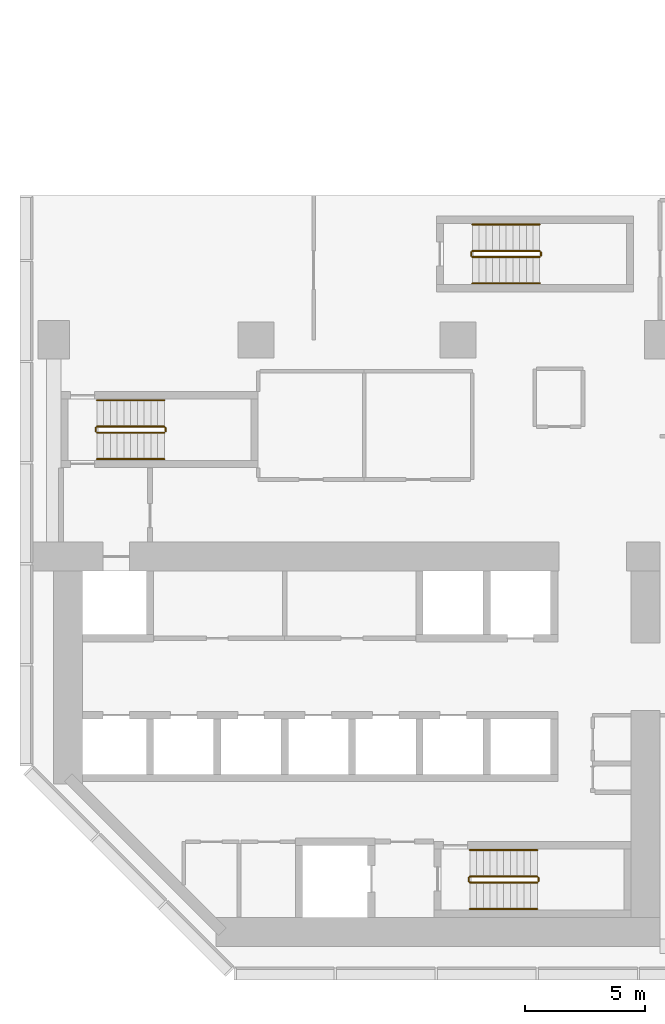
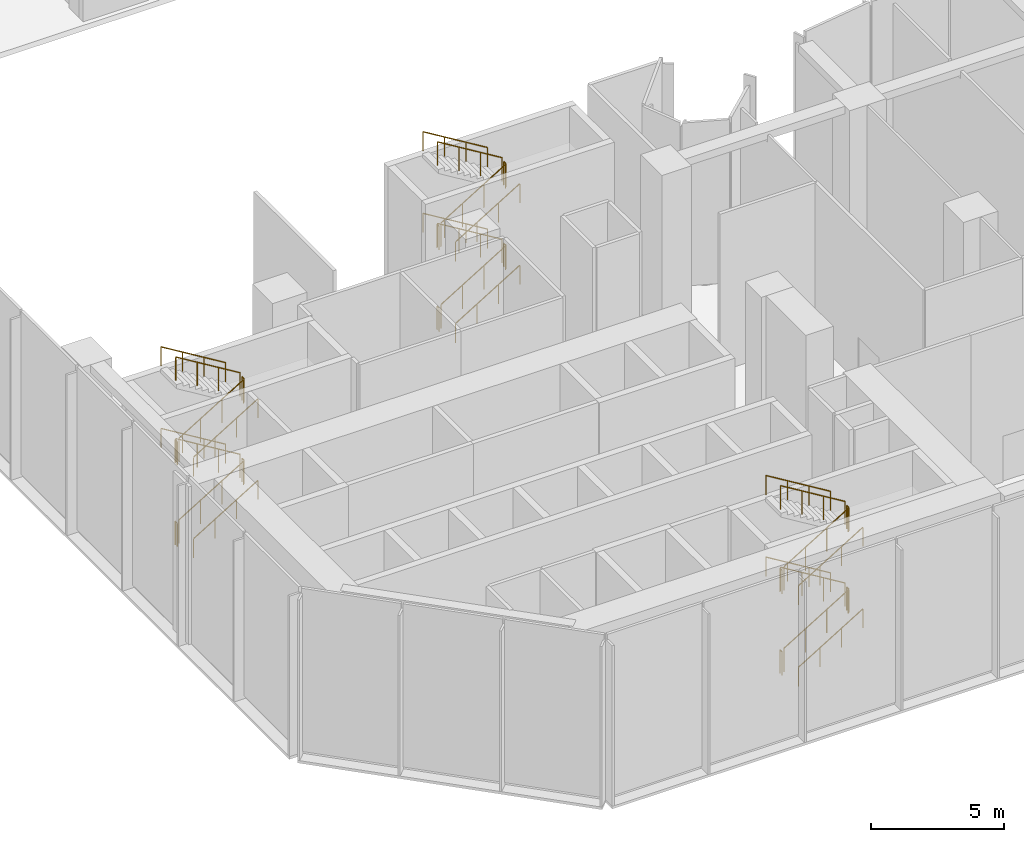
# One storey, part 14 of 16: 36 railings.
"""IFC4 building model written with IfcOpenShell, lengths in metres."""

import ifcopenshell
import ifcopenshell.guid

model = None  # the IFC model being written
_history = None  # IfcOwnerHistory: only IFC2X3 demands one
_inside = {}  # id of a spatial element -> (the spatial element, [elements in it])
_under = {}  # id of a project, library or spatial element -> (it, [spatial elements below it])
_declared = {}  # id of a project -> (the project, [libraries it declares])
_typed = {}  # id of a type object -> (the type object, [elements of that type])
_made_of = {}  # id of a material, layer set ... -> (it, [elements and type objects made of it])


def new_model(schema):
    """Start an empty IFC model of exactly this schema.

    Asked for "IFC4X3", IfcOpenShell would pick the latest addendum, in which some entities
    have other attributes; the version numbers below select the first issue.
    IFC2X3 requires an IfcOwnerHistory on every rooted entity: one is made here for all.
    """
    global model, _history
    if schema == "IFC4X3":
        model = ifcopenshell.file(schema_version=(4, 3, 0, 0))
    else:
        model = ifcopenshell.file(schema=schema)
    _inside.clear()
    _under.clear()
    _declared.clear()
    _typed.clear()
    _made_of.clear()
    _history = None
    if model.schema == "IFC2X3":
        org = make("IfcOrganization", Name="unknown")
        user = make(
            "IfcPersonAndOrganization",
            ThePerson=make("IfcPerson", FamilyName="unknown"),
            TheOrganization=org,
        )
        app = make(
            "IfcApplication",
            ApplicationDeveloper=org,
            Version="unknown",
            ApplicationFullName="unknown",
            ApplicationIdentifier="unknown",
        )
        _history = make(
            "IfcOwnerHistory",
            OwningUser=user,
            OwningApplication=app,
            ChangeAction="ADDED",
            CreationDate=0,
        )
    return model


def make(cls, **values):
    """One entity of the class cls with the attributes given. An attribute that is None is left unset."""
    return model.create_entity(
        cls, **{name: value for name, value in values.items() if value is not None}
    )


def rooted(cls, **values):
    """An entity with a GlobalId (a new one), such as an element, a storey or a relation."""
    return make(cls, GlobalId=ifcopenshell.guid.new(), OwnerHistory=_history, **values)


def si_unit(unit_type, name, prefix=None):
    """IfcSIUnit, for example si_unit("LENGTHUNIT", "METRE", prefix="MILLI")."""
    return make("IfcSIUnit", UnitType=unit_type, Prefix=prefix, Name=name)


def assignment(units):
    """IfcUnitAssignment: the units of a project."""
    return None if units is None else make("IfcUnitAssignment", Units=units)


def point(xyz):
    """IfcCartesianPoint."""
    return None if xyz is None else make("IfcCartesianPoint", Coordinates=xyz)


def direction(xyz):
    """IfcDirection."""
    return None if xyz is None else make("IfcDirection", DirectionRatios=xyz)


def frame(location, z_axis=None, x_axis=None):
    """IfcAxis2Placement3D, a coordinate frame: its origin and axes. An axis left out is left unset."""
    return make(
        "IfcAxis2Placement3D",
        Location=point(location),
        Axis=direction(z_axis),
        RefDirection=direction(x_axis),
    )


def frame_2d(location, x_axis=None):
    """IfcAxis2Placement2D, a coordinate frame in the plane: its origin and x axis."""
    return make(
        "IfcAxis2Placement2D", Location=point(location), RefDirection=direction(x_axis)
    )


def origin():
    """The frame at (0, 0, 0) with its axes left unset."""
    return frame((0.0, 0.0, 0.0))


def origin_2d():
    """The frame at (0, 0) in the plane with its x axis left unset."""
    return frame_2d((0.0, 0.0))


def place(relative_to, where):
    """IfcLocalPlacement: puts the frame where relative to a parent placement (None: the world)."""
    return make(
        "IfcLocalPlacement", PlacementRelTo=relative_to, RelativePlacement=where
    )


def context(
    kind, dimensions, precision=None, world=None, true_north=None, identifier=None
):
    """IfcGeometricRepresentationContext, for example the 3D "Model" context."""
    return make(
        "IfcGeometricRepresentationContext",
        ContextIdentifier=identifier,
        ContextType=kind,
        CoordinateSpaceDimension=dimensions,
        Precision=precision,
        WorldCoordinateSystem=world,
        TrueNorth=true_north,
    )


def subcontext(parent, identifier, kind, view, scale=None):
    """IfcGeometricRepresentationSubContext, for example "Body" below "Model"."""
    return make(
        "IfcGeometricRepresentationSubContext",
        ContextIdentifier=identifier,
        ContextType=kind,
        ParentContext=parent,
        TargetScale=scale,
        TargetView=view,
    )


def project(units=None, contexts=None):
    """IfcProject with its units and contexts."""
    return rooted(
        "IfcProject",
        Name="project",
        RepresentationContexts=contexts,
        UnitsInContext=assignment(units),
    )


def spatial(cls, under=None, at=None, **own):
    """A site, building, storey or space (cls), placed at a placement, below another one or the project."""
    s = rooted(cls, ObjectPlacement=at, **own)
    if under is not None:
        _under.setdefault(under.id(), (under, []))[1].append(s)
    return s


def profile(cls, at=None, kind="AREA", **sizes):
    """A parametric profile (cls). Its sizes go by their IFC names, for example OverallWidth=200.0."""
    return make(cls, ProfileType=kind, Position=at, **sizes)


def circle(**sizes):
    """IfcCircleProfileDef."""
    return profile("IfcCircleProfileDef", **sizes)


def extrude(swept, where, along, depth):
    """IfcExtrudedAreaSolid: the profile swept, set in the frame where, extruded along a direction by depth."""
    return make(
        "IfcExtrudedAreaSolid",
        SweptArea=swept,
        Position=where,
        ExtrudedDirection=direction(along),
        Depth=depth,
    )


def shape(context_of_items, identifier, shape_type, items):
    """IfcShapeRepresentation: the items that make up one representation, for example the "Body"."""
    return make(
        "IfcShapeRepresentation",
        ContextOfItems=context_of_items,
        RepresentationIdentifier=identifier,
        RepresentationType=shape_type,
        Items=items,
    )


def material(Name=None, Category=None):
    """IfcMaterial."""
    return make("IfcMaterial", Name=Name, Category=Category)


def made_of(thing, what):
    """Note that an element or type object is made of a material, layer set ...; save() writes the relation."""
    if what is not None:
        _made_of.setdefault(what.id(), (what, []))[1].append(thing)
    return thing


def type_object(cls, material=None, **own):
    """A type object (cls), such as IfcWallType, which elements share."""
    return made_of(rooted(cls, **own), material)


def element(
    cls,
    number,
    at=None,
    inside=None,
    cuts=None,
    type_object=None,
    material=None,
    context=None,
    identifier="Body",
    shape_type=None,
    held_by="IfcProductDefinitionShape",
    body=None,
    shapes=None,
    **own,
):
    """One element of the class cls, such as IfcWall. Its Tag is "e" and its number.

    at: its placement. inside: the storey or other place that contains it. cuts: it is an
    opening in that element (IfcRelVoidsElement). A single representation is given by context,
    identifier, shape_type and body (its items); several are given by shapes. held_by: the class
    of the entity that holds the representations. save() writes the other relations.
    """
    e = rooted(cls, Tag="e%d" % number, ObjectPlacement=at, **own)
    if body is not None:
        shapes = [shape(context, identifier, shape_type, body)]
    if shapes is not None:
        e.Representation = make(held_by, Representations=shapes)
    if inside is not None:
        _inside.setdefault(inside.id(), (inside, []))[1].append(e)
    if cuts is not None:
        rooted(
            "IfcRelVoidsElement", RelatingBuildingElement=cuts, RelatedOpeningElement=e
        )
    if type_object is not None:
        _typed.setdefault(type_object.id(), (type_object, []))[1].append(e)
    return made_of(e, material)


def aggregate(whole, parts):
    """IfcRelAggregates: a whole, such as a stair, and the parts it consists of."""
    return rooted("IfcRelAggregates", RelatingObject=whole, RelatedObjects=parts)


def save(model, path):
    """Write the relations noted so far, then the file.

    IfcRelAggregates (storeys below a building ...), IfcRelContainedInSpatialStructure (elements
    in a storey), IfcRelDefinesByType, IfcRelAssociatesMaterial and IfcRelDeclares: one each for
    every whole, place, type object, material and project.
    """
    for whole, parts in _under.values():
        aggregate(whole, parts)
    for where, things in _inside.values():
        rooted(
            "IfcRelContainedInSpatialStructure",
            RelatedElements=things,
            RelatingStructure=where,
        )
    for kind, things in _typed.values():
        rooted("IfcRelDefinesByType", RelatedObjects=things, RelatingType=kind)
    for what, things in _made_of.values():
        rooted("IfcRelAssociatesMaterial", RelatedObjects=things, RelatingMaterial=what)
    for by, libraries in _declared.values():
        rooted("IfcRelDeclares", RelatingContext=by, RelatedDefinitions=libraries)
    model.write(path)


model = new_model("IFC4")

# Units and contexts
model_context = context("Model", 3, precision=1e-05, world=origin(), true_north=direction((0.0, 1.0)))
body_context = subcontext(model_context, "Body", "Model", "MODEL_VIEW")
ifc_project = project(units=[si_unit("LENGTHUNIT", "METRE"), si_unit("AREAUNIT", "SQUARE_METRE"), si_unit("VOLUMEUNIT", "CUBIC_METRE"), si_unit("PLANEANGLEUNIT", "RADIAN"), si_unit("MASSUNIT", "GRAM", prefix="KILO")], contexts=[model_context])

# Site, building, storey
site_placement = place(None, origin())
site = spatial("IfcSite", under=ifc_project, at=site_placement, CompositionType="ELEMENT")
building_placement = place(site_placement, origin())
building = spatial("IfcBuilding", under=site, at=building_placement, Name="Brevane Broadcast Tower", CompositionType="ELEMENT")
storey_placement = place(building_placement, frame((0.0, 0.0, 12.5)))
storey = spatial("IfcBuildingStorey", under=building, at=storey_placement, Name="L02", CompositionType="ELEMENT", Elevation=12.5)

# Railings
ifc_material = material(Name="Steel S355", Category="steel")
railing_type_1 = type_object("IfcRailingType", Name="Exit stair guard", PredefinedType="GUARDRAIL", material=ifc_material)
railing_1_placement = place(storey_placement, frame((1.800048828125, 21.35009765625, 0.17041015625)))
element("IfcRailing", 1, at=railing_1_placement, inside=storey, type_object=railing_type_1, Name="L02 ST-1 stair guard 1", PredefinedType="GUARDRAIL", context=body_context, shape_type="SweptSolid", body=[
    extrude(circle(Radius=0.02392578125, at=origin_2d()), frame((0.0, 0.0, 1.076171875), z_axis=(0.854169791009, 0.0, 0.51999420009), x_axis=(0.0, 1.0, 0.0)), (0.0, 0.0, 1.0), 3.278076171875),
    extrude(circle(Radius=0.02099609375, at=origin_2d()), origin(), (0.0, 0.0, 1.0), 1.052001953125),
    extrude(circle(Radius=0.02099609375, at=origin_2d()), frame((0.933349609375, 0.0, 0.568115234375)), (0.0, 0.0, 1.0), 1.052001953125),
    extrude(circle(Radius=0.02099609375, at=origin_2d()), frame((1.86669921875, 0.0, 1.136474609375)), (0.0, 0.0, 1.0), 1.052001953125),
    extrude(circle(Radius=0.02099609375, at=origin_2d()), frame((2.800048828125, 0.0, 1.70458984375)), (0.0, 0.0, 1.0), 1.052001953125),
])
railing_2_placement = place(storey_placement, frame((4.64990234375, 21.39990234375, 1.875)))
element("IfcRailing", 2, at=railing_2_placement, inside=storey, type_object=railing_type_1, Name="L02 ST-1 stair guard 2", PredefinedType="GUARDRAIL", context=body_context, shape_type="SweptSolid", body=[
    extrude(circle(Radius=0.02392578125, at=origin_2d()), frame((0.0, 0.0, 1.076171875), z_axis=(0.0, 1.0, 0.0), x_axis=(-1.0, 0.0, 0.0)), (0.0, 0.0, 1.0), 0.150146484375),
    extrude(circle(Radius=0.02099609375, at=origin_2d()), origin(), (0.0, 0.0, 1.0), 1.052001953125),
    extrude(circle(Radius=0.02099609375, at=origin_2d()), frame((0.0, 0.150146484375, 0.0)), (0.0, 0.0, 1.0), 1.052001953125),
])
railing_3_placement = place(storey_placement, frame((4.60009765625, 21.60009765625, 2.04541015625)))
element("IfcRailing", 3, at=railing_3_placement, inside=storey, type_object=railing_type_1, Name="L02 ST-1 stair guard 3", PredefinedType="GUARDRAIL", context=body_context, shape_type="SweptSolid", body=[
    extrude(circle(Radius=0.02392578125, at=origin_2d()), frame((0.0, 0.0, 1.076171875), z_axis=(-0.854169791009, 0.0, 0.51999420009), x_axis=(0.0, -1.0, 0.0)), (0.0, 0.0, 1.0), 3.278076171875),
    extrude(circle(Radius=0.02099609375, at=origin_2d()), origin(), (0.0, 0.0, 1.0), 1.052001953125),
    extrude(circle(Radius=0.02099609375, at=origin_2d()), frame((-0.933349609375, 0.0, 0.568115234375)), (0.0, 0.0, 1.0), 1.052001953125),
    extrude(circle(Radius=0.02099609375, at=origin_2d()), frame((-1.86669921875, 0.0, 1.136474609375)), (0.0, 0.0, 1.0), 1.052001953125),
    extrude(circle(Radius=0.02099609375, at=origin_2d()), frame((-2.800048828125, 0.0, 1.70458984375)), (0.0, 0.0, 1.0), 1.052001953125),
])
railing_4_placement = place(storey_placement, frame((1.75, 21.39990234375, 3.75)))
element("IfcRailing", 4, at=railing_4_placement, inside=storey, type_object=railing_type_1, Name="L02 ST-1 stair guard 4", PredefinedType="GUARDRAIL", context=body_context, shape_type="SweptSolid", body=[
    extrude(circle(Radius=0.02392578125, at=origin_2d()), frame((0.0, 0.0, 1.076171875), z_axis=(0.0, 1.0, 0.0), x_axis=(-1.0, 0.0, 0.0)), (0.0, 0.0, 1.0), 0.150146484375),
    extrude(circle(Radius=0.02099609375, at=origin_2d()), origin(), (0.0, 0.0, 1.0), 1.052001953125),
    extrude(circle(Radius=0.02099609375, at=origin_2d()), frame((0.0, 0.150146484375, 0.0)), (0.0, 0.0, 1.0), 1.052001953125),
])
railing_5_placement = place(storey_placement, frame((1.800048828125, 21.35009765625, 3.92041015625)))
element("IfcRailing", 5, at=railing_5_placement, inside=storey, type_object=railing_type_1, Name="L02 ST-1 stair guard 5", PredefinedType="GUARDRAIL", context=body_context, shape_type="SweptSolid", body=[
    extrude(circle(Radius=0.02392578125, at=origin_2d()), frame((0.0, 0.0, 1.076171875), z_axis=(0.854169791009, 0.0, 0.51999420009), x_axis=(0.0, 1.0, 0.0)), (0.0, 0.0, 1.0), 3.278076171875),
    extrude(circle(Radius=0.02099609375, at=origin_2d()), origin(), (0.0, 0.0, 1.0), 1.052001953125),
    extrude(circle(Radius=0.02099609375, at=origin_2d()), frame((0.933349609375, 0.0, 0.568115234375)), (0.0, 0.0, 1.0), 1.052001953125),
    extrude(circle(Radius=0.02099609375, at=origin_2d()), frame((1.86669921875, 0.0, 1.136474609375)), (0.0, 0.0, 1.0), 1.052001953125),
    extrude(circle(Radius=0.02099609375, at=origin_2d()), frame((2.800048828125, 0.0, 1.70458984375)), (0.0, 0.0, 1.0), 1.052001953125),
])
railing_6_placement = place(storey_placement, frame((4.64990234375, 21.39990234375, 5.625)))
element("IfcRailing", 6, at=railing_6_placement, inside=storey, type_object=railing_type_1, Name="L02 ST-1 stair guard 6", PredefinedType="GUARDRAIL", context=body_context, shape_type="SweptSolid", body=[
    extrude(circle(Radius=0.02392578125, at=origin_2d()), frame((0.0, 0.0, 1.076171875), z_axis=(0.0, 1.0, 0.0), x_axis=(-1.0, 0.0, 0.0)), (0.0, 0.0, 1.0), 0.150146484375),
    extrude(circle(Radius=0.02099609375, at=origin_2d()), origin(), (0.0, 0.0, 1.0), 1.052001953125),
    extrude(circle(Radius=0.02099609375, at=origin_2d()), frame((0.0, 0.150146484375, 0.0)), (0.0, 0.0, 1.0), 1.052001953125),
])
railing_7_placement = place(storey_placement, frame((4.60009765625, 21.60009765625, 5.79541015625)))
element("IfcRailing", 7, at=railing_7_placement, inside=storey, type_object=railing_type_1, Name="L02 ST-1 stair guard 7", PredefinedType="GUARDRAIL", context=body_context, shape_type="SweptSolid", body=[
    extrude(circle(Radius=0.02392578125, at=origin_2d()), frame((0.0, 0.0, 1.076171875), z_axis=(-0.854169791009, 0.0, 0.51999420009), x_axis=(0.0, -1.0, 0.0)), (0.0, 0.0, 1.0), 3.278076171875),
    extrude(circle(Radius=0.02099609375, at=origin_2d()), origin(), (0.0, 0.0, 1.0), 1.052001953125),
    extrude(circle(Radius=0.02099609375, at=origin_2d()), frame((-0.933349609375, 0.0, 0.568115234375)), (0.0, 0.0, 1.0), 1.052001953125),
    extrude(circle(Radius=0.02099609375, at=origin_2d()), frame((-1.86669921875, 0.0, 1.136474609375)), (0.0, 0.0, 1.0), 1.052001953125),
    extrude(circle(Radius=0.02099609375, at=origin_2d()), frame((-2.800048828125, 0.0, 1.70458984375)), (0.0, 0.0, 1.0), 1.052001953125),
])
railing_8_placement = place(storey_placement, frame((1.75, 21.39990234375, 0.0)))
element("IfcRailing", 8, at=railing_8_placement, inside=storey, type_object=railing_type_1, Name="L02 ST-1 stair guard 8", PredefinedType="GUARDRAIL", context=body_context, shape_type="SweptSolid", body=[
    extrude(circle(Radius=0.02392578125, at=origin_2d()), frame((0.0, 0.0, 1.076171875), z_axis=(0.0, 1.0, 0.0), x_axis=(-1.0, 0.0, 0.0)), (0.0, 0.0, 1.0), 0.150146484375),
    extrude(circle(Radius=0.02099609375, at=origin_2d()), origin(), (0.0, 0.0, 1.0), 1.052001953125),
    extrude(circle(Radius=0.02099609375, at=origin_2d()), frame((0.0, 0.150146484375, 0.0)), (0.0, 0.0, 1.0), 1.052001953125),
])
railing_9_placement = place(storey_placement, frame((17.300048828125, 2.64990234375, 0.17041015625)))
element("IfcRailing", 9, at=railing_9_placement, inside=storey, type_object=railing_type_1, Name="L02 ST-2 stair guard 1", PredefinedType="GUARDRAIL", context=body_context, shape_type="SweptSolid", body=[
    extrude(circle(Radius=0.02392578125, at=origin_2d()), frame((0.0, 0.0, 1.076171875), z_axis=(0.854169791009, 0.0, 0.51999420009), x_axis=(0.0, 1.0, 0.0)), (0.0, 0.0, 1.0), 3.278076171875),
    extrude(circle(Radius=0.02099609375, at=origin_2d()), origin(), (0.0, 0.0, 1.0), 1.052001953125),
    extrude(circle(Radius=0.02099609375, at=origin_2d()), frame((0.933349609375, 0.0, 0.568115234375)), (0.0, 0.0, 1.0), 1.052001953125),
    extrude(circle(Radius=0.02099609375, at=origin_2d()), frame((1.86669921875, 0.0, 1.136474609375)), (0.0, 0.0, 1.0), 1.052001953125),
    extrude(circle(Radius=0.02099609375, at=origin_2d()), frame((2.800048828125, 0.0, 1.70458984375)), (0.0, 0.0, 1.0), 1.052001953125),
])
railing_10_placement = place(storey_placement, frame((20.14990234375, 2.699951171875, 1.875)))
element("IfcRailing", 10, at=railing_10_placement, inside=storey, type_object=railing_type_1, Name="L02 ST-2 stair guard 2", PredefinedType="GUARDRAIL", context=body_context, shape_type="SweptSolid", body=[
    extrude(circle(Radius=0.02392578125, at=origin_2d()), frame((0.0, 0.0, 1.076171875), z_axis=(0.0, 1.0, 0.0), x_axis=(-1.0, 0.0, 0.0)), (0.0, 0.0, 1.0), 0.150146484375),
    extrude(circle(Radius=0.02099609375, at=origin_2d()), origin(), (0.0, 0.0, 1.0), 1.052001953125),
    extrude(circle(Radius=0.02099609375, at=origin_2d()), frame((0.0, 0.150146484375, 0.0)), (0.0, 0.0, 1.0), 1.052001953125),
])
railing_11_placement = place(storey_placement, frame((20.10009765625, 2.89990234375, 2.04541015625)))
element("IfcRailing", 11, at=railing_11_placement, inside=storey, type_object=railing_type_1, Name="L02 ST-2 stair guard 3", PredefinedType="GUARDRAIL", context=body_context, shape_type="SweptSolid", body=[
    extrude(circle(Radius=0.02392578125, at=origin_2d()), frame((0.0, 0.0, 1.076171875), z_axis=(-0.854169791009, 0.0, 0.51999420009), x_axis=(0.0, -1.0, 0.0)), (0.0, 0.0, 1.0), 3.278076171875),
    extrude(circle(Radius=0.02099609375, at=origin_2d()), origin(), (0.0, 0.0, 1.0), 1.052001953125),
    extrude(circle(Radius=0.02099609375, at=origin_2d()), frame((-0.933349609375, 0.0, 0.568115234375)), (0.0, 0.0, 1.0), 1.052001953125),
    extrude(circle(Radius=0.02099609375, at=origin_2d()), frame((-1.86669921875, 0.0, 1.136474609375)), (0.0, 0.0, 1.0), 1.052001953125),
    extrude(circle(Radius=0.02099609375, at=origin_2d()), frame((-2.800048828125, 0.0, 1.70458984375)), (0.0, 0.0, 1.0), 1.052001953125),
])
railing_12_placement = place(storey_placement, frame((17.25, 2.699951171875, 3.75)))
element("IfcRailing", 12, at=railing_12_placement, inside=storey, type_object=railing_type_1, Name="L02 ST-2 stair guard 4", PredefinedType="GUARDRAIL", context=body_context, shape_type="SweptSolid", body=[
    extrude(circle(Radius=0.02392578125, at=origin_2d()), frame((0.0, 0.0, 1.076171875), z_axis=(0.0, 1.0, 0.0), x_axis=(-1.0, 0.0, 0.0)), (0.0, 0.0, 1.0), 0.150146484375),
    extrude(circle(Radius=0.02099609375, at=origin_2d()), origin(), (0.0, 0.0, 1.0), 1.052001953125),
    extrude(circle(Radius=0.02099609375, at=origin_2d()), frame((0.0, 0.150146484375, 0.0)), (0.0, 0.0, 1.0), 1.052001953125),
])
railing_13_placement = place(storey_placement, frame((17.300048828125, 2.64990234375, 3.92041015625)))
element("IfcRailing", 13, at=railing_13_placement, inside=storey, type_object=railing_type_1, Name="L02 ST-2 stair guard 5", PredefinedType="GUARDRAIL", context=body_context, shape_type="SweptSolid", body=[
    extrude(circle(Radius=0.02392578125, at=origin_2d()), frame((0.0, 0.0, 1.076171875), z_axis=(0.854169791009, 0.0, 0.51999420009), x_axis=(0.0, 1.0, 0.0)), (0.0, 0.0, 1.0), 3.278076171875),
    extrude(circle(Radius=0.02099609375, at=origin_2d()), origin(), (0.0, 0.0, 1.0), 1.052001953125),
    extrude(circle(Radius=0.02099609375, at=origin_2d()), frame((0.933349609375, 0.0, 0.568115234375)), (0.0, 0.0, 1.0), 1.052001953125),
    extrude(circle(Radius=0.02099609375, at=origin_2d()), frame((1.86669921875, 0.0, 1.136474609375)), (0.0, 0.0, 1.0), 1.052001953125),
    extrude(circle(Radius=0.02099609375, at=origin_2d()), frame((2.800048828125, 0.0, 1.70458984375)), (0.0, 0.0, 1.0), 1.052001953125),
])
railing_14_placement = place(storey_placement, frame((20.14990234375, 2.699951171875, 5.625)))
element("IfcRailing", 14, at=railing_14_placement, inside=storey, type_object=railing_type_1, Name="L02 ST-2 stair guard 6", PredefinedType="GUARDRAIL", context=body_context, shape_type="SweptSolid", body=[
    extrude(circle(Radius=0.02392578125, at=origin_2d()), frame((0.0, 0.0, 1.076171875), z_axis=(0.0, 1.0, 0.0), x_axis=(-1.0, 0.0, 0.0)), (0.0, 0.0, 1.0), 0.150146484375),
    extrude(circle(Radius=0.02099609375, at=origin_2d()), origin(), (0.0, 0.0, 1.0), 1.052001953125),
    extrude(circle(Radius=0.02099609375, at=origin_2d()), frame((0.0, 0.150146484375, 0.0)), (0.0, 0.0, 1.0), 1.052001953125),
])
railing_15_placement = place(storey_placement, frame((20.10009765625, 2.89990234375, 5.79541015625)))
element("IfcRailing", 15, at=railing_15_placement, inside=storey, type_object=railing_type_1, Name="L02 ST-2 stair guard 7", PredefinedType="GUARDRAIL", context=body_context, shape_type="SweptSolid", body=[
    extrude(circle(Radius=0.02392578125, at=origin_2d()), frame((0.0, 0.0, 1.076171875), z_axis=(-0.854169791009, 0.0, 0.51999420009), x_axis=(0.0, -1.0, 0.0)), (0.0, 0.0, 1.0), 3.278076171875),
    extrude(circle(Radius=0.02099609375, at=origin_2d()), origin(), (0.0, 0.0, 1.0), 1.052001953125),
    extrude(circle(Radius=0.02099609375, at=origin_2d()), frame((-0.933349609375, 0.0, 0.568115234375)), (0.0, 0.0, 1.0), 1.052001953125),
    extrude(circle(Radius=0.02099609375, at=origin_2d()), frame((-1.86669921875, 0.0, 1.136474609375)), (0.0, 0.0, 1.0), 1.052001953125),
    extrude(circle(Radius=0.02099609375, at=origin_2d()), frame((-2.800048828125, 0.0, 1.70458984375)), (0.0, 0.0, 1.0), 1.052001953125),
])
railing_16_placement = place(storey_placement, frame((17.25, 2.699951171875, 0.0)))
element("IfcRailing", 16, at=railing_16_placement, inside=storey, type_object=railing_type_1, Name="L02 ST-2 stair guard 8", PredefinedType="GUARDRAIL", context=body_context, shape_type="SweptSolid", body=[
    extrude(circle(Radius=0.02392578125, at=origin_2d()), frame((0.0, 0.0, 1.076171875), z_axis=(0.0, 1.0, 0.0), x_axis=(-1.0, 0.0, 0.0)), (0.0, 0.0, 1.0), 0.150146484375),
    extrude(circle(Radius=0.02099609375, at=origin_2d()), origin(), (0.0, 0.0, 1.0), 1.052001953125),
    extrude(circle(Radius=0.02099609375, at=origin_2d()), frame((0.0, 0.150146484375, 0.0)), (0.0, 0.0, 1.0), 1.052001953125),
])
railing_17_placement = place(storey_placement, frame((17.39990234375, 28.64990234375, 0.17041015625)))
element("IfcRailing", 17, at=railing_17_placement, inside=storey, type_object=railing_type_1, Name="L02 ST-3 stair guard 1", PredefinedType="GUARDRAIL", context=body_context, shape_type="SweptSolid", body=[
    extrude(circle(Radius=0.02392578125, at=origin_2d()), frame((0.0, 0.0, 1.076171875), z_axis=(0.854169791009, 0.0, 0.51999420009), x_axis=(0.0, 1.0, 0.0)), (0.0, 0.0, 1.0), 3.278076171875),
    extrude(circle(Radius=0.02099609375, at=origin_2d()), origin(), (0.0, 0.0, 1.0), 1.052001953125),
    extrude(circle(Radius=0.02099609375, at=origin_2d()), frame((0.933349609375, 0.0, 0.568115234375)), (0.0, 0.0, 1.0), 1.052001953125),
    extrude(circle(Radius=0.02099609375, at=origin_2d()), frame((1.86669921875, 0.0, 1.136474609375)), (0.0, 0.0, 1.0), 1.052001953125),
    extrude(circle(Radius=0.02099609375, at=origin_2d()), frame((2.800048828125, 0.0, 1.70458984375)), (0.0, 0.0, 1.0), 1.052001953125),
])
railing_18_placement = place(storey_placement, frame((20.25, 28.699951171875, 1.875)))
element("IfcRailing", 18, at=railing_18_placement, inside=storey, type_object=railing_type_1, Name="L02 ST-3 stair guard 2", PredefinedType="GUARDRAIL", context=body_context, shape_type="SweptSolid", body=[
    extrude(circle(Radius=0.02392578125, at=origin_2d()), frame((0.0, 0.0, 1.076171875), z_axis=(0.0, 1.0, 0.0), x_axis=(-1.0, 0.0, 0.0)), (0.0, 0.0, 1.0), 0.150146484375),
    extrude(circle(Radius=0.02099609375, at=origin_2d()), origin(), (0.0, 0.0, 1.0), 1.052001953125),
    extrude(circle(Radius=0.02099609375, at=origin_2d()), frame((0.0, 0.150146484375, 0.0)), (0.0, 0.0, 1.0), 1.052001953125),
])
railing_19_placement = place(storey_placement, frame((20.199951171875, 28.89990234375, 2.04541015625)))
element("IfcRailing", 19, at=railing_19_placement, inside=storey, type_object=railing_type_1, Name="L02 ST-3 stair guard 3", PredefinedType="GUARDRAIL", context=body_context, shape_type="SweptSolid", body=[
    extrude(circle(Radius=0.02392578125, at=origin_2d()), frame((0.0, 0.0, 1.076171875), z_axis=(-0.854169791009, 0.0, 0.51999420009), x_axis=(0.0, -1.0, 0.0)), (0.0, 0.0, 1.0), 3.278076171875),
    extrude(circle(Radius=0.02099609375, at=origin_2d()), origin(), (0.0, 0.0, 1.0), 1.052001953125),
    extrude(circle(Radius=0.02099609375, at=origin_2d()), frame((-0.933349609375, 0.0, 0.568115234375)), (0.0, 0.0, 1.0), 1.052001953125),
    extrude(circle(Radius=0.02099609375, at=origin_2d()), frame((-1.86669921875, 0.0, 1.136474609375)), (0.0, 0.0, 1.0), 1.052001953125),
    extrude(circle(Radius=0.02099609375, at=origin_2d()), frame((-2.800048828125, 0.0, 1.70458984375)), (0.0, 0.0, 1.0), 1.052001953125),
])
railing_20_placement = place(storey_placement, frame((17.35009765625, 28.699951171875, 3.75)))
element("IfcRailing", 20, at=railing_20_placement, inside=storey, type_object=railing_type_1, Name="L02 ST-3 stair guard 4", PredefinedType="GUARDRAIL", context=body_context, shape_type="SweptSolid", body=[
    extrude(circle(Radius=0.02392578125, at=origin_2d()), frame((0.0, 0.0, 1.076171875), z_axis=(0.0, 1.0, 0.0), x_axis=(-1.0, 0.0, 0.0)), (0.0, 0.0, 1.0), 0.150146484375),
    extrude(circle(Radius=0.02099609375, at=origin_2d()), origin(), (0.0, 0.0, 1.0), 1.052001953125),
    extrude(circle(Radius=0.02099609375, at=origin_2d()), frame((0.0, 0.150146484375, 0.0)), (0.0, 0.0, 1.0), 1.052001953125),
])
railing_21_placement = place(storey_placement, frame((17.39990234375, 28.64990234375, 3.92041015625)))
element("IfcRailing", 21, at=railing_21_placement, inside=storey, type_object=railing_type_1, Name="L02 ST-3 stair guard 5", PredefinedType="GUARDRAIL", context=body_context, shape_type="SweptSolid", body=[
    extrude(circle(Radius=0.02392578125, at=origin_2d()), frame((0.0, 0.0, 1.076171875), z_axis=(0.854169791009, 0.0, 0.51999420009), x_axis=(0.0, 1.0, 0.0)), (0.0, 0.0, 1.0), 3.278076171875),
    extrude(circle(Radius=0.02099609375, at=origin_2d()), origin(), (0.0, 0.0, 1.0), 1.052001953125),
    extrude(circle(Radius=0.02099609375, at=origin_2d()), frame((0.933349609375, 0.0, 0.568115234375)), (0.0, 0.0, 1.0), 1.052001953125),
    extrude(circle(Radius=0.02099609375, at=origin_2d()), frame((1.86669921875, 0.0, 1.136474609375)), (0.0, 0.0, 1.0), 1.052001953125),
    extrude(circle(Radius=0.02099609375, at=origin_2d()), frame((2.800048828125, 0.0, 1.70458984375)), (0.0, 0.0, 1.0), 1.052001953125),
])
railing_22_placement = place(storey_placement, frame((20.25, 28.699951171875, 5.625)))
element("IfcRailing", 22, at=railing_22_placement, inside=storey, type_object=railing_type_1, Name="L02 ST-3 stair guard 6", PredefinedType="GUARDRAIL", context=body_context, shape_type="SweptSolid", body=[
    extrude(circle(Radius=0.02392578125, at=origin_2d()), frame((0.0, 0.0, 1.076171875), z_axis=(0.0, 1.0, 0.0), x_axis=(-1.0, 0.0, 0.0)), (0.0, 0.0, 1.0), 0.150146484375),
    extrude(circle(Radius=0.02099609375, at=origin_2d()), origin(), (0.0, 0.0, 1.0), 1.052001953125),
    extrude(circle(Radius=0.02099609375, at=origin_2d()), frame((0.0, 0.150146484375, 0.0)), (0.0, 0.0, 1.0), 1.052001953125),
])
railing_23_placement = place(storey_placement, frame((20.199951171875, 28.89990234375, 5.79541015625)))
element("IfcRailing", 23, at=railing_23_placement, inside=storey, type_object=railing_type_1, Name="L02 ST-3 stair guard 7", PredefinedType="GUARDRAIL", context=body_context, shape_type="SweptSolid", body=[
    extrude(circle(Radius=0.02392578125, at=origin_2d()), frame((0.0, 0.0, 1.076171875), z_axis=(-0.854169791009, 0.0, 0.51999420009), x_axis=(0.0, -1.0, 0.0)), (0.0, 0.0, 1.0), 3.278076171875),
    extrude(circle(Radius=0.02099609375, at=origin_2d()), origin(), (0.0, 0.0, 1.0), 1.052001953125),
    extrude(circle(Radius=0.02099609375, at=origin_2d()), frame((-0.933349609375, 0.0, 0.568115234375)), (0.0, 0.0, 1.0), 1.052001953125),
    extrude(circle(Radius=0.02099609375, at=origin_2d()), frame((-1.86669921875, 0.0, 1.136474609375)), (0.0, 0.0, 1.0), 1.052001953125),
    extrude(circle(Radius=0.02099609375, at=origin_2d()), frame((-2.800048828125, 0.0, 1.70458984375)), (0.0, 0.0, 1.0), 1.052001953125),
])
railing_24_placement = place(storey_placement, frame((17.35009765625, 28.699951171875, 0.0)))
element("IfcRailing", 24, at=railing_24_placement, inside=storey, type_object=railing_type_1, Name="L02 ST-3 stair guard 8", PredefinedType="GUARDRAIL", context=body_context, shape_type="SweptSolid", body=[
    extrude(circle(Radius=0.02392578125, at=origin_2d()), frame((0.0, 0.0, 1.076171875), z_axis=(0.0, 1.0, 0.0), x_axis=(-1.0, 0.0, 0.0)), (0.0, 0.0, 1.0), 0.150146484375),
    extrude(circle(Radius=0.02099609375, at=origin_2d()), origin(), (0.0, 0.0, 1.0), 1.052001953125),
    extrude(circle(Radius=0.02099609375, at=origin_2d()), frame((0.0, 0.150146484375, 0.0)), (0.0, 0.0, 1.0), 1.052001953125),
])
railing_type_2 = type_object("IfcRailingType", Name="Exit stair handrail", PredefinedType="HANDRAIL", material=ifc_material)
railing_25_placement = place(storey_placement, frame((1.800048828125, 20.25, 0.17041015625)))
element("IfcRailing", 25, at=railing_25_placement, inside=storey, type_object=railing_type_2, Name="L02 ST-1 stair handrail 1", PredefinedType="HANDRAIL", context=body_context, shape_type="SweptSolid", body=[
    extrude(circle(Radius=0.02392578125, at=origin_2d()), frame((0.0, 0.0, 0.8759765625), z_axis=(0.854169791009, 0.0, 0.51999420009), x_axis=(0.0, 1.0, 0.0)), (0.0, 0.0, 1.0), 3.278076171875),
    extrude(circle(Radius=0.02099609375, at=origin_2d()), origin(), (0.0, 0.0, 1.0), 0.851806640625),
    extrude(circle(Radius=0.02099609375, at=origin_2d()), frame((0.933349609375, 0.0, 0.568115234375)), (0.0, 0.0, 1.0), 0.851806640625),
    extrude(circle(Radius=0.02099609375, at=origin_2d()), frame((1.86669921875, 0.0, 1.136474609375)), (0.0, 0.0, 1.0), 0.851806640625),
    extrude(circle(Radius=0.02099609375, at=origin_2d()), frame((2.800048828125, 0.0, 1.70458984375)), (0.0, 0.0, 1.0), 0.851806640625),
])
railing_26_placement = place(storey_placement, frame((4.60009765625, 22.699951171875, 2.04541015625)))
element("IfcRailing", 26, at=railing_26_placement, inside=storey, type_object=railing_type_2, Name="L02 ST-1 stair handrail 2", PredefinedType="HANDRAIL", context=body_context, shape_type="SweptSolid", body=[
    extrude(circle(Radius=0.02392578125, at=origin_2d()), frame((0.0, 0.0, 0.8759765625), z_axis=(-0.854169791009, 0.0, 0.51999420009), x_axis=(0.0, -1.0, 0.0)), (0.0, 0.0, 1.0), 3.278076171875),
    extrude(circle(Radius=0.02099609375, at=origin_2d()), origin(), (0.0, 0.0, 1.0), 0.851806640625),
    extrude(circle(Radius=0.02099609375, at=origin_2d()), frame((-0.933349609375, 0.0, 0.568115234375)), (0.0, 0.0, 1.0), 0.851806640625),
    extrude(circle(Radius=0.02099609375, at=origin_2d()), frame((-1.86669921875, 0.0, 1.136474609375)), (0.0, 0.0, 1.0), 0.851806640625),
    extrude(circle(Radius=0.02099609375, at=origin_2d()), frame((-2.800048828125, 0.0, 1.70458984375)), (0.0, 0.0, 1.0), 0.851806640625),
])
railing_27_placement = place(storey_placement, frame((1.800048828125, 20.25, 3.92041015625)))
element("IfcRailing", 27, at=railing_27_placement, inside=storey, type_object=railing_type_2, Name="L02 ST-1 stair handrail 3", PredefinedType="HANDRAIL", context=body_context, shape_type="SweptSolid", body=[
    extrude(circle(Radius=0.02392578125, at=origin_2d()), frame((0.0, 0.0, 0.8759765625), z_axis=(0.854169791009, 0.0, 0.51999420009), x_axis=(0.0, 1.0, 0.0)), (0.0, 0.0, 1.0), 3.278076171875),
    extrude(circle(Radius=0.02099609375, at=origin_2d()), origin(), (0.0, 0.0, 1.0), 0.851806640625),
    extrude(circle(Radius=0.02099609375, at=origin_2d()), frame((0.933349609375, 0.0, 0.568115234375)), (0.0, 0.0, 1.0), 0.851806640625),
    extrude(circle(Radius=0.02099609375, at=origin_2d()), frame((1.86669921875, 0.0, 1.136474609375)), (0.0, 0.0, 1.0), 0.851806640625),
    extrude(circle(Radius=0.02099609375, at=origin_2d()), frame((2.800048828125, 0.0, 1.70458984375)), (0.0, 0.0, 1.0), 0.851806640625),
])
railing_28_placement = place(storey_placement, frame((4.60009765625, 22.699951171875, 5.79541015625)))
element("IfcRailing", 28, at=railing_28_placement, inside=storey, type_object=railing_type_2, Name="L02 ST-1 stair handrail 4", PredefinedType="HANDRAIL", context=body_context, shape_type="SweptSolid", body=[
    extrude(circle(Radius=0.02392578125, at=origin_2d()), frame((0.0, 0.0, 0.8759765625), z_axis=(-0.854169791009, 0.0, 0.51999420009), x_axis=(0.0, -1.0, 0.0)), (0.0, 0.0, 1.0), 3.278076171875),
    extrude(circle(Radius=0.02099609375, at=origin_2d()), origin(), (0.0, 0.0, 1.0), 0.851806640625),
    extrude(circle(Radius=0.02099609375, at=origin_2d()), frame((-0.933349609375, 0.0, 0.568115234375)), (0.0, 0.0, 1.0), 0.851806640625),
    extrude(circle(Radius=0.02099609375, at=origin_2d()), frame((-1.86669921875, 0.0, 1.136474609375)), (0.0, 0.0, 1.0), 0.851806640625),
    extrude(circle(Radius=0.02099609375, at=origin_2d()), frame((-2.800048828125, 0.0, 1.70458984375)), (0.0, 0.0, 1.0), 0.851806640625),
])
railing_29_placement = place(storey_placement, frame((17.300048828125, 1.550048828125, 0.17041015625)))
element("IfcRailing", 29, at=railing_29_placement, inside=storey, type_object=railing_type_2, Name="L02 ST-2 stair handrail 1", PredefinedType="HANDRAIL", context=body_context, shape_type="SweptSolid", body=[
    extrude(circle(Radius=0.02392578125, at=origin_2d()), frame((0.0, 0.0, 0.8759765625), z_axis=(0.854169791009, 0.0, 0.51999420009), x_axis=(0.0, 1.0, 0.0)), (0.0, 0.0, 1.0), 3.278076171875),
    extrude(circle(Radius=0.02099609375, at=origin_2d()), origin(), (0.0, 0.0, 1.0), 0.851806640625),
    extrude(circle(Radius=0.02099609375, at=origin_2d()), frame((0.933349609375, 0.0, 0.568115234375)), (0.0, 0.0, 1.0), 0.851806640625),
    extrude(circle(Radius=0.02099609375, at=origin_2d()), frame((1.86669921875, 0.0, 1.136474609375)), (0.0, 0.0, 1.0), 0.851806640625),
    extrude(circle(Radius=0.02099609375, at=origin_2d()), frame((2.800048828125, 0.0, 1.70458984375)), (0.0, 0.0, 1.0), 0.851806640625),
])
railing_30_placement = place(storey_placement, frame((20.10009765625, 4.0, 2.04541015625)))
element("IfcRailing", 30, at=railing_30_placement, inside=storey, type_object=railing_type_2, Name="L02 ST-2 stair handrail 2", PredefinedType="HANDRAIL", context=body_context, shape_type="SweptSolid", body=[
    extrude(circle(Radius=0.02392578125, at=origin_2d()), frame((0.0, 0.0, 0.8759765625), z_axis=(-0.854169791009, 0.0, 0.51999420009), x_axis=(0.0, -1.0, 0.0)), (0.0, 0.0, 1.0), 3.278076171875),
    extrude(circle(Radius=0.02099609375, at=origin_2d()), origin(), (0.0, 0.0, 1.0), 0.851806640625),
    extrude(circle(Radius=0.02099609375, at=origin_2d()), frame((-0.933349609375, 0.0, 0.568115234375)), (0.0, 0.0, 1.0), 0.851806640625),
    extrude(circle(Radius=0.02099609375, at=origin_2d()), frame((-1.86669921875, 0.0, 1.136474609375)), (0.0, 0.0, 1.0), 0.851806640625),
    extrude(circle(Radius=0.02099609375, at=origin_2d()), frame((-2.800048828125, 0.0, 1.70458984375)), (0.0, 0.0, 1.0), 0.851806640625),
])
railing_31_placement = place(storey_placement, frame((17.300048828125, 1.550048828125, 3.92041015625)))
element("IfcRailing", 31, at=railing_31_placement, inside=storey, type_object=railing_type_2, Name="L02 ST-2 stair handrail 3", PredefinedType="HANDRAIL", context=body_context, shape_type="SweptSolid", body=[
    extrude(circle(Radius=0.02392578125, at=origin_2d()), frame((0.0, 0.0, 0.8759765625), z_axis=(0.854169791009, 0.0, 0.51999420009), x_axis=(0.0, 1.0, 0.0)), (0.0, 0.0, 1.0), 3.278076171875),
    extrude(circle(Radius=0.02099609375, at=origin_2d()), origin(), (0.0, 0.0, 1.0), 0.851806640625),
    extrude(circle(Radius=0.02099609375, at=origin_2d()), frame((0.933349609375, 0.0, 0.568115234375)), (0.0, 0.0, 1.0), 0.851806640625),
    extrude(circle(Radius=0.02099609375, at=origin_2d()), frame((1.86669921875, 0.0, 1.136474609375)), (0.0, 0.0, 1.0), 0.851806640625),
    extrude(circle(Radius=0.02099609375, at=origin_2d()), frame((2.800048828125, 0.0, 1.70458984375)), (0.0, 0.0, 1.0), 0.851806640625),
])
railing_32_placement = place(storey_placement, frame((20.10009765625, 4.0, 5.79541015625)))
element("IfcRailing", 32, at=railing_32_placement, inside=storey, type_object=railing_type_2, Name="L02 ST-2 stair handrail 4", PredefinedType="HANDRAIL", context=body_context, shape_type="SweptSolid", body=[
    extrude(circle(Radius=0.02392578125, at=origin_2d()), frame((0.0, 0.0, 0.8759765625), z_axis=(-0.854169791009, 0.0, 0.51999420009), x_axis=(0.0, -1.0, 0.0)), (0.0, 0.0, 1.0), 3.278076171875),
    extrude(circle(Radius=0.02099609375, at=origin_2d()), origin(), (0.0, 0.0, 1.0), 0.851806640625),
    extrude(circle(Radius=0.02099609375, at=origin_2d()), frame((-0.933349609375, 0.0, 0.568115234375)), (0.0, 0.0, 1.0), 0.851806640625),
    extrude(circle(Radius=0.02099609375, at=origin_2d()), frame((-1.86669921875, 0.0, 1.136474609375)), (0.0, 0.0, 1.0), 0.851806640625),
    extrude(circle(Radius=0.02099609375, at=origin_2d()), frame((-2.800048828125, 0.0, 1.70458984375)), (0.0, 0.0, 1.0), 0.851806640625),
])
railing_33_placement = place(storey_placement, frame((17.39990234375, 27.550048828125, 0.17041015625)))
element("IfcRailing", 33, at=railing_33_placement, inside=storey, type_object=railing_type_2, Name="L02 ST-3 stair handrail 1", PredefinedType="HANDRAIL", context=body_context, shape_type="SweptSolid", body=[
    extrude(circle(Radius=0.02392578125, at=origin_2d()), frame((0.0, 0.0, 0.8759765625), z_axis=(0.854169791009, 0.0, 0.51999420009), x_axis=(0.0, 1.0, 0.0)), (0.0, 0.0, 1.0), 3.278076171875),
    extrude(circle(Radius=0.02099609375, at=origin_2d()), origin(), (0.0, 0.0, 1.0), 0.851806640625),
    extrude(circle(Radius=0.02099609375, at=origin_2d()), frame((0.933349609375, 0.0, 0.568115234375)), (0.0, 0.0, 1.0), 0.851806640625),
    extrude(circle(Radius=0.02099609375, at=origin_2d()), frame((1.86669921875, 0.0, 1.136474609375)), (0.0, 0.0, 1.0), 0.851806640625),
    extrude(circle(Radius=0.02099609375, at=origin_2d()), frame((2.800048828125, 0.0, 1.70458984375)), (0.0, 0.0, 1.0), 0.851806640625),
])
railing_34_placement = place(storey_placement, frame((20.199951171875, 30.0, 2.04541015625)))
element("IfcRailing", 34, at=railing_34_placement, inside=storey, type_object=railing_type_2, Name="L02 ST-3 stair handrail 2", PredefinedType="HANDRAIL", context=body_context, shape_type="SweptSolid", body=[
    extrude(circle(Radius=0.02392578125, at=origin_2d()), frame((0.0, 0.0, 0.8759765625), z_axis=(-0.854169791009, 0.0, 0.51999420009), x_axis=(0.0, -1.0, 0.0)), (0.0, 0.0, 1.0), 3.278076171875),
    extrude(circle(Radius=0.02099609375, at=origin_2d()), origin(), (0.0, 0.0, 1.0), 0.851806640625),
    extrude(circle(Radius=0.02099609375, at=origin_2d()), frame((-0.933349609375, 0.0, 0.568115234375)), (0.0, 0.0, 1.0), 0.851806640625),
    extrude(circle(Radius=0.02099609375, at=origin_2d()), frame((-1.86669921875, 0.0, 1.136474609375)), (0.0, 0.0, 1.0), 0.851806640625),
    extrude(circle(Radius=0.02099609375, at=origin_2d()), frame((-2.800048828125, 0.0, 1.70458984375)), (0.0, 0.0, 1.0), 0.851806640625),
])
railing_35_placement = place(storey_placement, frame((17.39990234375, 27.550048828125, 3.92041015625)))
element("IfcRailing", 35, at=railing_35_placement, inside=storey, type_object=railing_type_2, Name="L02 ST-3 stair handrail 3", PredefinedType="HANDRAIL", context=body_context, shape_type="SweptSolid", body=[
    extrude(circle(Radius=0.02392578125, at=origin_2d()), frame((0.0, 0.0, 0.8759765625), z_axis=(0.854169791009, 0.0, 0.51999420009), x_axis=(0.0, 1.0, 0.0)), (0.0, 0.0, 1.0), 3.278076171875),
    extrude(circle(Radius=0.02099609375, at=origin_2d()), origin(), (0.0, 0.0, 1.0), 0.851806640625),
    extrude(circle(Radius=0.02099609375, at=origin_2d()), frame((0.933349609375, 0.0, 0.568115234375)), (0.0, 0.0, 1.0), 0.851806640625),
    extrude(circle(Radius=0.02099609375, at=origin_2d()), frame((1.86669921875, 0.0, 1.136474609375)), (0.0, 0.0, 1.0), 0.851806640625),
    extrude(circle(Radius=0.02099609375, at=origin_2d()), frame((2.800048828125, 0.0, 1.70458984375)), (0.0, 0.0, 1.0), 0.851806640625),
])
railing_36_placement = place(storey_placement, frame((20.199951171875, 30.0, 5.79541015625)))
element("IfcRailing", 36, at=railing_36_placement, inside=storey, type_object=railing_type_2, Name="L02 ST-3 stair handrail 4", PredefinedType="HANDRAIL", context=body_context, shape_type="SweptSolid", body=[
    extrude(circle(Radius=0.02392578125, at=origin_2d()), frame((0.0, 0.0, 0.8759765625), z_axis=(-0.854169791009, 0.0, 0.51999420009), x_axis=(0.0, -1.0, 0.0)), (0.0, 0.0, 1.0), 3.278076171875),
    extrude(circle(Radius=0.02099609375, at=origin_2d()), origin(), (0.0, 0.0, 1.0), 0.851806640625),
    extrude(circle(Radius=0.02099609375, at=origin_2d()), frame((-0.933349609375, 0.0, 0.568115234375)), (0.0, 0.0, 1.0), 0.851806640625),
    extrude(circle(Radius=0.02099609375, at=origin_2d()), frame((-1.86669921875, 0.0, 1.136474609375)), (0.0, 0.0, 1.0), 0.851806640625),
    extrude(circle(Radius=0.02099609375, at=origin_2d()), frame((-2.800048828125, 0.0, 1.70458984375)), (0.0, 0.0, 1.0), 0.851806640625),
])

save(model, "model.ifc")
